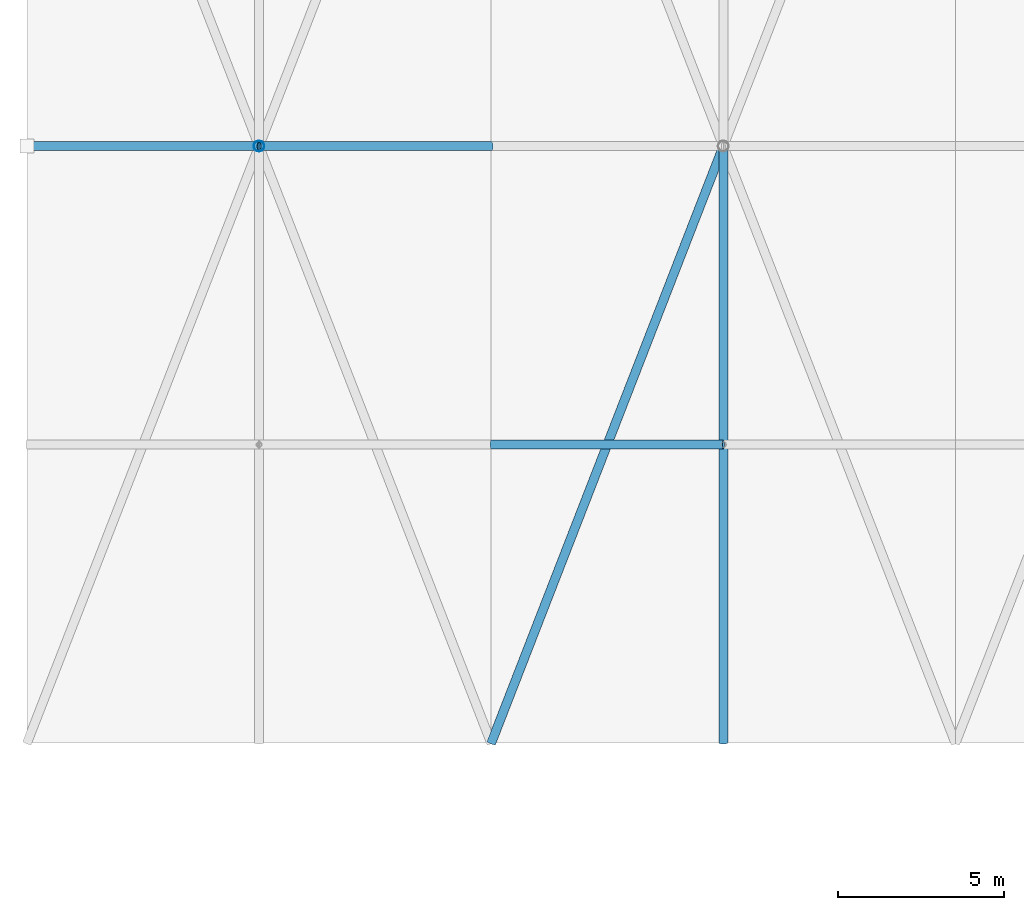
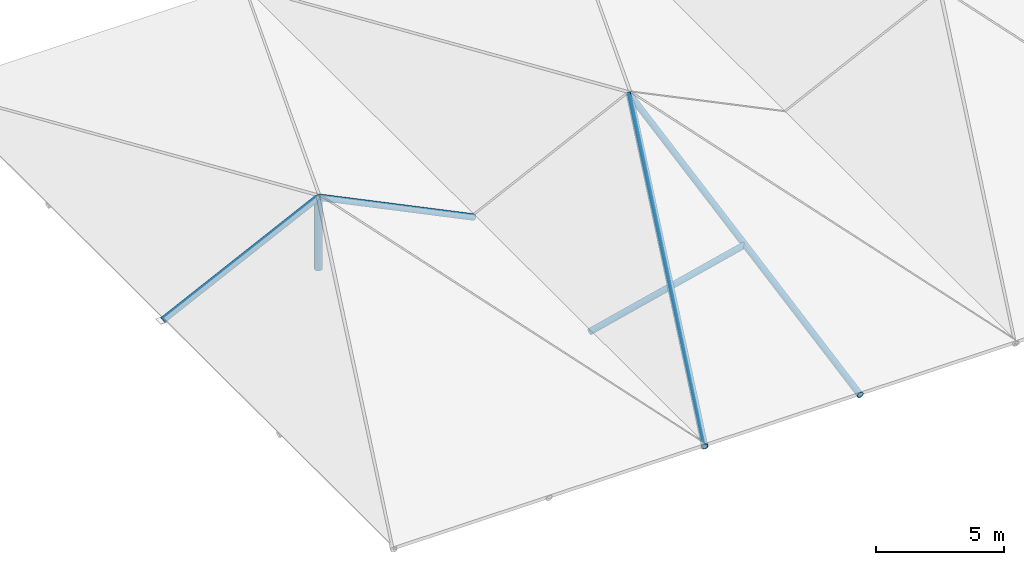
# One storey, part 3 of 93: 6 members.
"""IFC4 building model written with IfcOpenShell, lengths in metres."""

from ifc_helpers import new_model, si_unit, derived_unit, direction, frame, origin, origin_2d_with_axis, place, context, subcontext, project, spatial, hollow_circle, extrude, material, material_profile, profile_set, type_object, element, save


model = new_model("IFC4")

# Units and contexts
model_context = context("Model", 3, precision=1e-05, world=origin(), true_north=direction((0.0, 1.0)))
body_context = subcontext(model_context, "Body", "Model", "MODEL_VIEW")
ifc_project = project(units=[si_unit("LENGTHUNIT", "METRE"), si_unit("AREAUNIT", "SQUARE_METRE"), si_unit("VOLUMEUNIT", "CUBIC_METRE"), si_unit("PLANEANGLEUNIT", "RADIAN"), si_unit("MASSUNIT", "GRAM", prefix="KILO"), derived_unit("THERMALTRANSMITTANCEUNIT", [(si_unit("POWERUNIT", "WATT"), 1), (si_unit("LENGTHUNIT", "METRE"), -2), (si_unit("THERMODYNAMICTEMPERATUREUNIT", "KELVIN"), -1)])], contexts=[model_context])

# Site, building, storey
site_placement = place(None, origin())
site = spatial("IfcSite", under=ifc_project, at=site_placement, CompositionType="ELEMENT")
building_placement = place(site_placement, origin())
building = spatial("IfcBuilding", under=site, at=building_placement, Name="Cinnabar Yard Market Hall", CompositionType="ELEMENT")
storey_placement = place(building_placement, frame((0.0, 0.0, 23.800048828125)))
storey = spatial("IfcBuildingStorey", under=building, at=storey_placement, Name="ROOF", CompositionType="ELEMENT", Elevation=23.800048828125)

# Members
ifc_material_1 = material(Name="Spotted-gum glulam-clad steel Grade 350 (350 MPa)", Category="steel")
ifc_material_profile_1 = material_profile(ifc_material_1, hollow_circle(Radius=0.161865234375, WallThickness=0.009521484375, at=origin_2d_with_axis()), Name="323.9x9.5CHS")
ifc_profile_set_1 = profile_set([ifc_material_profile_1], Name="Spotted-gum glulam-clad steel Grade 350 (350 MPa)")
member_type_1 = type_object("IfcMemberType", Name="MB-ST01", PredefinedType="STRUT", material=ifc_profile_set_1)
member_1_placement = place(storey_placement, frame((17.0, 66.0, -15.400146484375), z_axis=(0.0, 0.0, 1.0), x_axis=(1.0, 0.0, 0.0)))
element("IfcMember", 1, at=member_1_placement, inside=storey, type_object=member_type_1, Name="Chhatri Cupola Post CH1", PredefinedType="STRUT", context=body_context, shape_type="SweptSolid", body=[
    extrude(hollow_circle(Radius=0.161865234375, WallThickness=0.009521484375, at=origin_2d_with_axis()), origin(), (0.0, 0.0, 1.0), 3.400146484375),
])
ifc_material_2 = material(Name="Cold-formed steel C350L0", Category="steel")
ifc_material_profile_2 = material_profile(ifc_material_2, hollow_circle(Radius=0.136474609375, WallThickness=0.00927734375, at=origin_2d_with_axis()), Name="273.1x9.3CHS")
ifc_profile_set_2 = profile_set([ifc_material_profile_2], Name="Cold-formed steel C350L0")
member_type_2 = type_object("IfcMemberType", Name="MB-TC02", PredefinedType="CHORD", material=ifc_profile_set_2)
for number, where, z_axis, x_axis, name in (
    (2, (10.0, 66.0, -15.400146484375), (0.899500760931, 0.0, 0.436919192853), (0.0, 1.0, 0.0), "Chhatri Hip Rafter CH1-7"),
    (3, (24.0, 66.0, -15.400146484375), (-0.899500760931, 0.0, 0.436919192853), (0.0, -1.0, 0.0), "Chhatri Hip Rafter CH1-8"),
):
    element("IfcMember", number, at=place(storey_placement, frame(where, z_axis=z_axis, x_axis=x_axis)), inside=storey, type_object=member_type_2, Name=name, PredefinedType="CHORD", context=body_context, shape_type="SweptSolid", body=[
        extrude(hollow_circle(Radius=0.136474609375, WallThickness=0.00927734375, at=origin_2d_with_axis()), origin(), (0.0, 0.0, 1.0), 7.781982421875),
    ])
member_2_placement = place(storey_placement, frame((24.0, 48.0, -15.400146484375), z_axis=(0.356956605479, 0.917888414088, 0.173386392456), x_axis=(-0.932004671541, 0.362446261155, 0.0)))
element("IfcMember", 4, at=member_2_placement, inside=storey, type_object=member_type_2, Name="Chhatri Hip Rafter CH2-1", PredefinedType="CHORD", context=body_context, shape_type="SweptSolid", body=[
    extrude(hollow_circle(Radius=0.136474609375, WallThickness=0.00927734375, at=origin_2d_with_axis()), origin(), (0.0, 0.0, 1.0), 19.610107421875),
])
member_3_placement = place(storey_placement, frame((31.0, 48.0, -15.400146484375), z_axis=(0.0, 0.982622643196, 0.185614495874), x_axis=(-1.0, 0.0, 0.0)))
element("IfcMember", 5, at=member_3_placement, inside=storey, type_object=member_type_2, Name="Chhatri Hip Rafter CH2-5", PredefinedType="CHORD", context=body_context, shape_type="SweptSolid", body=[
    extrude(hollow_circle(Radius=0.136474609375, WallThickness=0.00927734375, at=origin_2d_with_axis()), origin(), (0.0, 0.0, 1.0), 18.318359375),
])
member_4_placement = place(storey_placement, frame((24.0, 57.0, -15.400146484375), z_axis=(0.971747485636, 0.0, 0.23602293143), x_axis=(0.0, 1.0, 0.0)))
element("IfcMember", 6, at=member_4_placement, inside=storey, type_object=member_type_2, Name="Chhatri Rafter CH2-57A", PredefinedType="CHORD", context=body_context, shape_type="SweptSolid", body=[
    extrude(hollow_circle(Radius=0.136474609375, WallThickness=0.00927734375, at=origin_2d_with_axis()), origin(), (0.0, 0.0, 1.0), 7.20361328125),
])

save(model, "model.ifc")
